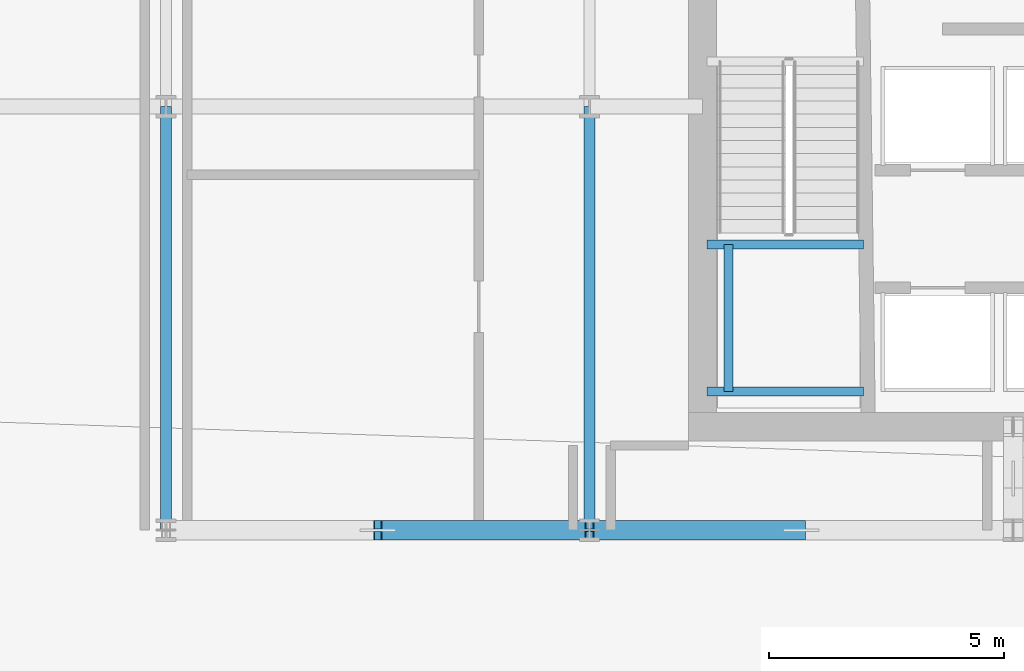
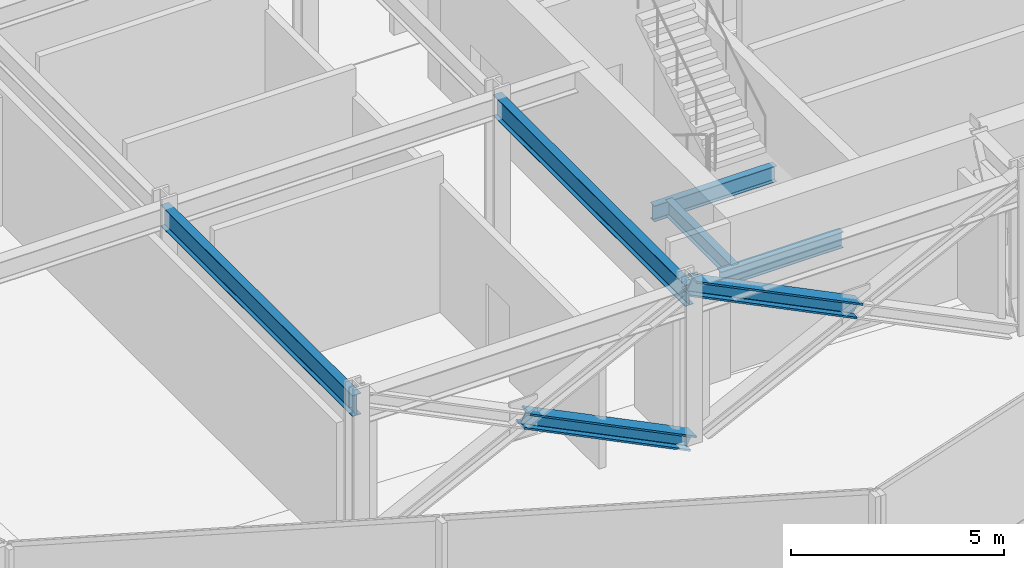
# One storey, part 4 of 42: 5 beams, 2 members.
"""IFC4 building model written with IfcOpenShell, lengths in metres."""

from ifc_helpers import new_model, si_unit, direction, frame, origin, origin_2d, place, context, subcontext, project, spatial, i_section, extrude, material, material_profile, profile_set, type_object, element, save


model = new_model("IFC4")

# Units and contexts
model_context = context("Model", 3, precision=1e-05, world=origin(), true_north=direction((0.0, 1.0)))
body_context = subcontext(model_context, "Body", "Model", "MODEL_VIEW")
ifc_project = project(units=[si_unit("LENGTHUNIT", "METRE"), si_unit("AREAUNIT", "SQUARE_METRE"), si_unit("VOLUMEUNIT", "CUBIC_METRE"), si_unit("PLANEANGLEUNIT", "RADIAN"), si_unit("MASSUNIT", "GRAM", prefix="KILO")], contexts=[model_context])

# Site, building, storey
site_placement = place(None, origin())
site = spatial("IfcSite", under=ifc_project, at=site_placement, CompositionType="ELEMENT")
building_placement = place(site_placement, origin())
building = spatial("IfcBuilding", under=site, at=building_placement, Name="Solvaryn Broadcast Tower", CompositionType="ELEMENT")
storey_placement = place(building_placement, frame((0.0, 0.0, 100.199951171875)))
storey = spatial("IfcBuildingStorey", under=building, at=storey_placement, Name="L24", CompositionType="ELEMENT", Elevation=100.199951171875)

# Beams
ifc_material_1 = material(Name="Steel ASTM A992 Grade 50", Category="steel")
ifc_material_profile_1 = material_profile(ifc_material_1, i_section(OverallWidth=0.22802734375, OverallDepth=0.60791015625, WebThickness=0.01123046875, FlangeThickness=0.017333984375, FilletRadius=0.014892578125, at=origin_2d()))
ifc_profile_set_1 = profile_set([ifc_material_profile_1], Name="Steel ASTM A992 Grade 50")
beam_type_1 = type_object("IfcBeamType", Name="BM-B2-W24X76", PredefinedType="BEAM", material=ifc_profile_set_1)
for number, where, z_axis, x_axis, name in (
    (1, (18.0, 9.0, 4.166015625), (0.0, 1.0, 0.0), (-1.0, 0.0, 0.0), "L24 Primary Beam Y (9-18 @ X=18)"),
    (2, (27.0, 9.0, 4.166015625), (0.0, 1.0, 0.0), (-1.0, 0.0, 0.0), "L24 Primary Beam Y (9-18 @ X=27)"),
):
    element("IfcBeam", number, at=place(storey_placement, frame(where, z_axis=z_axis, x_axis=x_axis)), inside=storey, type_object=beam_type_1, Name=name, PredefinedType="BEAM", context=body_context, shape_type="SweptSolid", body=[
        extrude(i_section(OverallWidth=0.22802734375, OverallDepth=0.60791015625, WebThickness=0.01123046875, FlangeThickness=0.017333984375, FilletRadius=0.014892578125, at=origin_2d()), origin(), (0.0, 0.0, 1.0), 9.0),
    ])
ifc_material_2 = material(Name="Steel ASTM A992 Grade 50", Category="steel")
ifc_material_profile_2 = material_profile(ifc_material_2, i_section(OverallWidth=0.18994140625, OverallDepth=0.45703125, WebThickness=0.009033203125, FlangeThickness=0.014404296875, FilletRadius=0.011962890625, at=origin_2d()))
ifc_profile_set_2 = profile_set([ifc_material_profile_2], Name="Steel ASTM A992 Grade 50")
beam_type_2 = type_object("IfcBeamType", Name="BM-B4-W18X50", PredefinedType="BEAM", material=ifc_profile_set_2)
for number, where, z_axis, x_axis, name in (
    (3, (29.5, 11.949951171875, 1.971435546875), (1.0, 0.0, 0.0), (0.0, 1.0, 0.0), "L24 ST3 Landing Support Beam 1A"),
    (4, (29.5, 15.070068359375, 1.971435546875), (1.0, 0.0, 0.0), (0.0, 1.0, 0.0), "L24 ST3 Landing Support Beam 1B"),
):
    element("IfcBeam", number, at=place(storey_placement, frame(where, z_axis=z_axis, x_axis=x_axis)), inside=storey, type_object=beam_type_2, Name=name, PredefinedType="BEAM", context=body_context, shape_type="SweptSolid", body=[
        extrude(i_section(OverallWidth=0.18994140625, OverallDepth=0.45703125, WebThickness=0.009033203125, FlangeThickness=0.014404296875, FilletRadius=0.011962890625, at=origin_2d()), origin(), (0.0, 0.0, 1.0), 3.320068359375),
    ])
beam_placement = place(storey_placement, frame((29.949951171875, 11.949951171875, 1.971435546875), z_axis=(0.0, 1.0, 0.0), x_axis=(-1.0, 0.0, 0.0)))
element("IfcBeam", 5, at=beam_placement, inside=storey, type_object=beam_type_2, Name="L24 ST3 Landing Cross Stringer 1C", PredefinedType="BEAM", context=body_context, shape_type="SweptSolid", body=[
    extrude(i_section(OverallWidth=0.18994140625, OverallDepth=0.45703125, WebThickness=0.009033203125, FlangeThickness=0.014404296875, FilletRadius=0.011962890625, at=origin_2d()), origin(), (0.0, 0.0, 1.0), 3.1201171875),
])

# Members
ifc_material_3 = material(Name="Steel ASTM A913 Grade 65", Category="steel")
ifc_material_profile_3 = material_profile(ifc_material_3, i_section(OverallWidth=0.406005859375, OverallDepth=0.416015625, WebThickness=0.02978515625, FlangeThickness=0.048095703125, FilletRadius=0.014892578125, at=origin_2d()))
ifc_profile_set_3 = profile_set([ifc_material_profile_3], Name="Steel ASTM A913 Grade 65")
member_type = type_object("IfcMemberType", Name="MB-BELT-1", PredefinedType="BRACE", material=ifc_profile_set_3)
for number, where, z_axis, x_axis, name in (
    (6, (27.0, 9.0, 0.02001953125), (-0.897194117845, 0.0, 0.441636405773), (0.0, -1.0, 0.0), "L24 South Belt X-Brace 3 Split Diagonal Lower"),
    (7, (31.5, 9.0, 2.235107421875), (-0.897213404429, 0.0, 0.441597222492), (0.0, -1.0, 0.0), "L24 South Belt X-Brace 4 Split Diagonal Upper"),
):
    element("IfcMember", number, at=place(storey_placement, frame(where, z_axis=z_axis, x_axis=x_axis)), inside=storey, type_object=member_type, Name=name, PredefinedType="BRACE", context=body_context, shape_type="SweptSolid", body=[
        extrude(i_section(OverallWidth=0.406005859375, OverallDepth=0.416015625, WebThickness=0.02978515625, FlangeThickness=0.048095703125, FilletRadius=0.014892578125, at=origin_2d()), origin(), (0.0, 0.0, 1.0), 5.015625),
    ])

save(model, "model.ifc")
